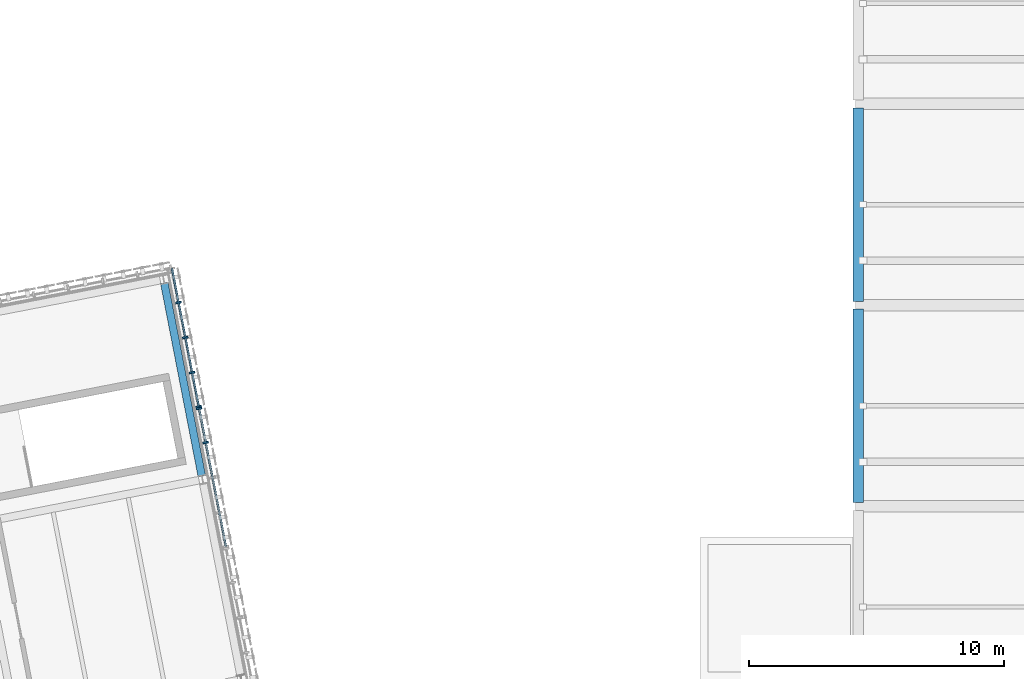
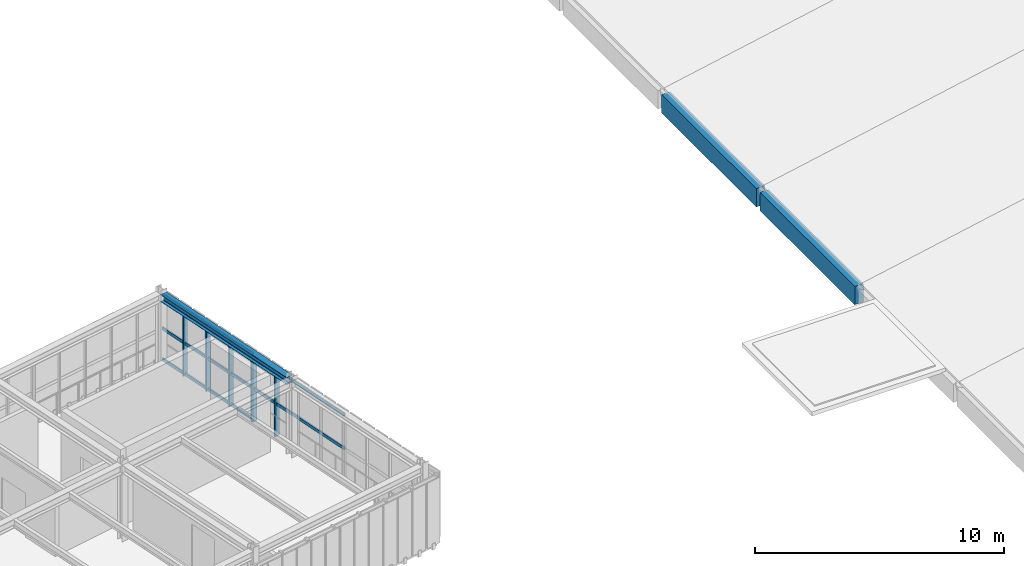
# One storey, part 17 of 44: 11 members, 3 beams, 2 elements without a shape of their own.
"""IFC4 building model written with IfcOpenShell, lengths in metres."""

from ifc_helpers import new_model, si_unit, direction, frame, origin, origin_2d, place, context, subcontext, project, spatial, rectangle, i_section, extrude, material, material_profile, profile_set, type_object, element, aggregate, save


model = new_model("IFC4")

# Units and contexts
model_context = context("Model", 3, precision=1e-05, world=origin(), true_north=direction((0.0, 1.0)))
body_context = subcontext(model_context, "Body", "Model", "MODEL_VIEW")
ifc_project = project(units=[si_unit("LENGTHUNIT", "METRE"), si_unit("AREAUNIT", "SQUARE_METRE"), si_unit("VOLUMEUNIT", "CUBIC_METRE"), si_unit("PLANEANGLEUNIT", "RADIAN"), si_unit("MASSUNIT", "GRAM", prefix="KILO")], contexts=[model_context])

# Site, building, storey
site_placement = place(None, origin())
site = spatial("IfcSite", under=ifc_project, at=site_placement, CompositionType="ELEMENT")
building_placement = place(site_placement, origin())
building = spatial("IfcBuilding", under=site, at=building_placement, Name="Varnklinge Art Gallery", CompositionType="ELEMENT")
storey_placement = place(building_placement, frame((0.0, 0.0, 13.679931640625)))
storey = spatial("IfcBuildingStorey", under=building, at=storey_placement, Name="L03", CompositionType="ELEMENT", Elevation=13.679931640625)

# Curtain wall, members
ifc_material_1 = material(Name="Anodised Aluminium", Category="aluminium")
curtain_wall_type = type_object("IfcCurtainWallType", Name="CW-L08", PredefinedType="USERDEFINED", material=ifc_material_1)
curtain_wall_1_placement = place(storey_placement, origin())
curtain_wall_1 = element("IfcCurtainWall", 1, at=curtain_wall_1_placement, inside=storey, type_object=curtain_wall_type, Name="L03 Curtain Wall CW-V4B-L03-2-1-2", ObjectType="UNITISED CURTAIN WALL", PredefinedType="USERDEFINED")
ifc_material_2 = material(Name="Anodised Aluminium", Category="aluminium")
ifc_material_profile_1 = material_profile(ifc_material_2, rectangle(XDim=0.074951171875, YDim=0.219970703125, at=origin_2d()), Name="ALU 75x220")
ifc_profile_set_1 = profile_set([ifc_material_profile_1], Name="Anodised Aluminium")
member_type_1 = type_object("IfcMemberType", Name="MUL-02", PredefinedType="MULLION", material=ifc_profile_set_1)
member_1_placement = place(storey_placement, frame((88.779296875, 76.50732421875, 0.0), z_axis=(0.0, 0.0, 1.0), x_axis=(-0.190808995377, 0.981627183448, 0.0)))
member_1 = element("IfcMember", 2, at=member_1_placement, type_object=member_type_1, Name="CW-V4B-L03-2-1-2 Mullion 4", PredefinedType="MULLION", context=body_context, shape_type="SweptSolid", body=[
    extrude(rectangle(XDim=0.074951171875, YDim=0.219970703125, at=origin_2d()), origin(), (0.0, 0.0, 1.0), 3.31005859375),
])
member_2_placement = place(storey_placement, frame((88.519287109375, 77.844970703125, 0.0), z_axis=(0.0, 0.0, 1.0), x_axis=(-0.190808995377, 0.981627183448, 0.0)))
member_2 = element("IfcMember", 3, at=member_2_placement, type_object=member_type_1, Name="CW-V4B-L03-2-1-2 Mullion 5", PredefinedType="MULLION", context=body_context, shape_type="SweptSolid", body=[
    extrude(rectangle(XDim=0.074951171875, YDim=0.219970703125, at=origin_2d()), origin(), (0.0, 0.0, 1.0), 3.31005859375),
])

curtain_wall_2_placement = place(storey_placement, origin())
curtain_wall_2 = element("IfcCurtainWall", 4, at=curtain_wall_2_placement, inside=storey, type_object=curtain_wall_type, Name="L03 Curtain Wall CW-V4B-L03-2-1-3", ObjectType="UNITISED CURTAIN WALL", PredefinedType="USERDEFINED")
member_3_placement = place(storey_placement, frame((88.5048828125, 77.91845703125, 0.0), z_axis=(0.0, 0.0, 1.0), x_axis=(-0.190808995377, 0.981627183448, 0.0)))
member_3 = element("IfcMember", 5, at=member_3_placement, type_object=member_type_1, Name="CW-V4B-L03-2-1-3 Mullion 1", PredefinedType="MULLION", context=body_context, shape_type="SweptSolid", body=[
    extrude(rectangle(XDim=0.074951171875, YDim=0.219970703125, at=origin_2d()), origin(), (0.0, 0.0, 1.0), 3.31005859375),
])
member_4_placement = place(storey_placement, frame((88.2451171875, 79.256103515625, 0.0), z_axis=(0.0, 0.0, 1.0), x_axis=(-0.190808995377, 0.981627183448, 0.0)))
member_4 = element("IfcMember", 6, at=member_4_placement, type_object=member_type_1, Name="CW-V4B-L03-2-1-3 Mullion 2", PredefinedType="MULLION", context=body_context, shape_type="SweptSolid", body=[
    extrude(rectangle(XDim=0.074951171875, YDim=0.219970703125, at=origin_2d()), origin(), (0.0, 0.0, 1.0), 3.31005859375),
])
member_5_placement = place(storey_placement, frame((87.97802734375, 80.630126953125, 0.0), z_axis=(0.0, 0.0, 1.0), x_axis=(-0.190808995377, 0.981627183448, 0.0)))
member_5 = element("IfcMember", 7, at=member_5_placement, type_object=member_type_1, Name="CW-V4B-L03-2-1-3 Mullion 3", PredefinedType="MULLION", context=body_context, shape_type="SweptSolid", body=[
    extrude(rectangle(XDim=0.074951171875, YDim=0.219970703125, at=origin_2d()), origin(), (0.0, 0.0, 1.0), 3.31005859375),
])
member_6_placement = place(storey_placement, frame((87.710693359375, 82.00439453125, 0.0), z_axis=(0.0, 0.0, 1.0), x_axis=(-0.190808995377, 0.981627183448, 0.0)))
member_6 = element("IfcMember", 8, at=member_6_placement, type_object=member_type_1, Name="CW-V4B-L03-2-1-3 Mullion 4", PredefinedType="MULLION", context=body_context, shape_type="SweptSolid", body=[
    extrude(rectangle(XDim=0.074951171875, YDim=0.219970703125, at=origin_2d()), origin(), (0.0, 0.0, 1.0), 3.31005859375),
])

# Beams
ifc_material_3 = material(Name="Concrete C45/55", Category="concrete")
ifc_material_profile_2 = material_profile(ifc_material_3, rectangle(XDim=0.39990234375, YDim=0.89990234375, at=origin_2d()), Name="RC 400x900")
ifc_profile_set_2 = profile_set([ifc_material_profile_2], Name="Concrete C45/55")
beam_type_1 = type_object("IfcBeamType", Name="SHB-02", PredefinedType="BEAM", material=ifc_profile_set_2)
beam_1_placement = place(storey_placement, frame((114.39990234375, 74.14990234375, -0.60986328125), z_axis=(0.0, 1.0, 0.0), x_axis=(-1.0, 0.0, 0.0)))
element("IfcBeam", 9, at=beam_1_placement, inside=storey, type_object=beam_type_1, Name="Shell Vault Longitudinal Beam 1.3", PredefinedType="BEAM", context=body_context, shape_type="SweptSolid", body=[
    extrude(rectangle(XDim=0.39990234375, YDim=0.89990234375, at=origin_2d()), origin(), (0.0, 0.0, 1.0), 7.60009765625),
])
beam_2_placement = place(storey_placement, frame((114.39990234375, 82.050048828125, -0.60986328125), z_axis=(0.0, 1.0, 0.0), x_axis=(-1.0, 0.0, 0.0)))
element("IfcBeam", 10, at=beam_2_placement, inside=storey, type_object=beam_type_1, Name="Shell Vault Longitudinal Beam 1.4", PredefinedType="BEAM", context=body_context, shape_type="SweptSolid", body=[
    extrude(rectangle(XDim=0.39990234375, YDim=0.89990234375, at=origin_2d()), origin(), (0.0, 0.0, 1.0), 7.599853515625),
])
ifc_material_4 = material(Name="Steel S355", Category="steel")
ifc_material_profile_3 = material_profile(ifc_material_4, i_section(OverallWidth=0.300048828125, OverallDepth=0.35009765625, WebThickness=0.010009765625, FlangeThickness=0.017578125, FilletRadius=0.027099609375, at=origin_2d()), Name="HEA 360")
ifc_profile_set_3 = profile_set([ifc_material_profile_3], Name="Steel S355")
beam_type_2 = type_object("IfcBeamType", Name="SPB-04", PredefinedType="SPANDREL", material=ifc_profile_set_3)
beam_3_placement = place(storey_placement, frame((88.627197265625, 75.194091796875, 3.5849609375), z_axis=(-0.190816333803, 0.981625756974, 0.0), x_axis=(-0.981625756974, -0.190816333803, 0.0)))
element("IfcBeam", 11, at=beam_3_placement, inside=storey, type_object=beam_type_2, Name="L03 SPB-04 BM-V4B-L04-V3-1", PredefinedType="SPANDREL", context=body_context, shape_type="SweptSolid", body=[
    extrude(i_section(OverallWidth=0.300048828125, OverallDepth=0.35009765625, WebThickness=0.010009765625, FlangeThickness=0.017578125, FilletRadius=0.027099609375, at=origin_2d()), origin(), (0.0, 0.0, 1.0), 7.72021484375),
])

# Member
ifc_material_5 = material(Name="Anodised Aluminium", Category="aluminium")
ifc_material_profile_4 = material_profile(ifc_material_5, rectangle(XDim=0.06494140625, YDim=0.14990234375, at=origin_2d()), Name="ALU 65x150")
ifc_profile_set_4 = profile_set([ifc_material_profile_4], Name="Anodised Aluminium")
member_type_2 = type_object("IfcMemberType", Name="TRN-01", PredefinedType="USERDEFINED", material=ifc_profile_set_4)
member_7_placement = place(storey_placement, frame((89.573486328125, 72.42138671875, 1.5888671875), z_axis=(-0.190802243749, 0.981628495807, 0.0), x_axis=(-0.981628495807, -0.190802243749, 0.0)))
member_7 = element("IfcMember", 12, at=member_7_placement, type_object=member_type_2, Name="CW-V4B-L03-2-1-2 Transom 2", ObjectType="TRANSOM", PredefinedType="USERDEFINED", context=body_context, shape_type="SweptSolid", body=[
    extrude(rectangle(XDim=0.06494140625, YDim=0.14990234375, at=origin_2d()), origin(), (0.0, 0.0, 1.0), 5.525146484375),
])

member_8_placement = place(storey_placement, frame((89.573486328125, 72.42138671875, 3.235107421875), z_axis=(-0.190802243749, 0.981628495807, 0.0), x_axis=(-0.981628495807, -0.190802243749, 0.0)))
member_8 = element("IfcMember", 13, at=member_8_placement, type_object=member_type_2, Name="CW-V4B-L03-2-1-2 Transom 3", ObjectType="TRANSOM", PredefinedType="USERDEFINED", context=body_context, shape_type="SweptSolid", body=[
    extrude(rectangle(XDim=0.06494140625, YDim=0.14990234375, at=origin_2d()), origin(), (0.0, 0.0, 1.0), 5.525146484375),
])

aggregate(curtain_wall_1, [member_1, member_2, member_7, member_8])

member_9_placement = place(storey_placement, frame((88.5048828125, 77.91845703125, 0.074951171875), z_axis=(-0.190759664241, 0.981636771163, 0.0), x_axis=(-0.981636771163, -0.190759664241, 0.0)))
member_9 = element("IfcMember", 14, at=member_9_placement, type_object=member_type_2, Name="CW-V4B-L03-2-1-3 Transom 1", ObjectType="TRANSOM", PredefinedType="USERDEFINED", context=body_context, shape_type="SweptSolid", body=[
    extrude(rectangle(XDim=0.06494140625, YDim=0.14990234375, at=origin_2d()), origin(), (0.0, 0.0, 1.0), 5.525146484375),
])

member_10_placement = place(storey_placement, frame((88.5048828125, 77.91845703125, 1.5888671875), z_axis=(-0.190759664241, 0.981636771163, 0.0), x_axis=(-0.981636771163, -0.190759664241, 0.0)))
member_10 = element("IfcMember", 15, at=member_10_placement, type_object=member_type_2, Name="CW-V4B-L03-2-1-3 Transom 2", ObjectType="TRANSOM", PredefinedType="USERDEFINED", context=body_context, shape_type="SweptSolid", body=[
    extrude(rectangle(XDim=0.06494140625, YDim=0.14990234375, at=origin_2d()), origin(), (0.0, 0.0, 1.0), 5.525146484375),
])

member_11_placement = place(storey_placement, frame((88.5048828125, 77.91845703125, 3.235107421875), z_axis=(-0.190759664241, 0.981636771163, 0.0), x_axis=(-0.981636771163, -0.190759664241, 0.0)))
member_11 = element("IfcMember", 16, at=member_11_placement, type_object=member_type_2, Name="CW-V4B-L03-2-1-3 Transom 3", ObjectType="TRANSOM", PredefinedType="USERDEFINED", context=body_context, shape_type="SweptSolid", body=[
    extrude(rectangle(XDim=0.06494140625, YDim=0.14990234375, at=origin_2d()), origin(), (0.0, 0.0, 1.0), 5.525146484375),
])

aggregate(curtain_wall_2, [member_3, member_4, member_5, member_6, member_9, member_10, member_11])

save(model, "model.ifc")
